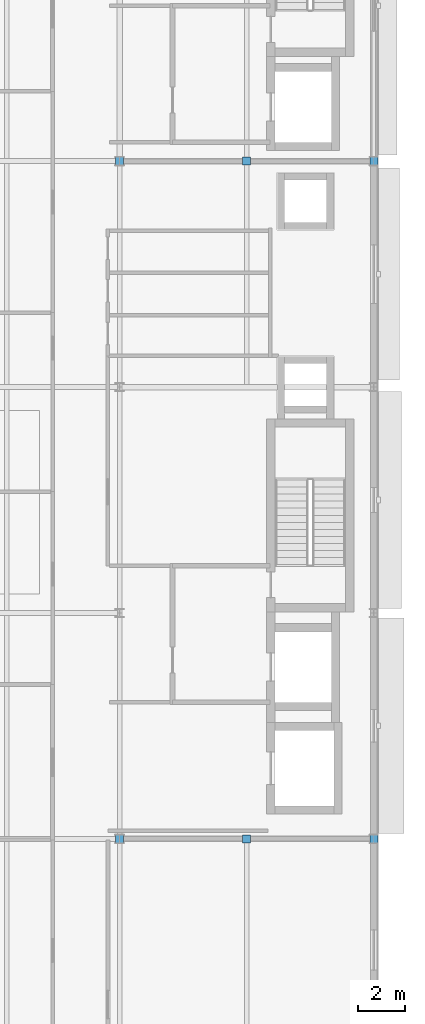
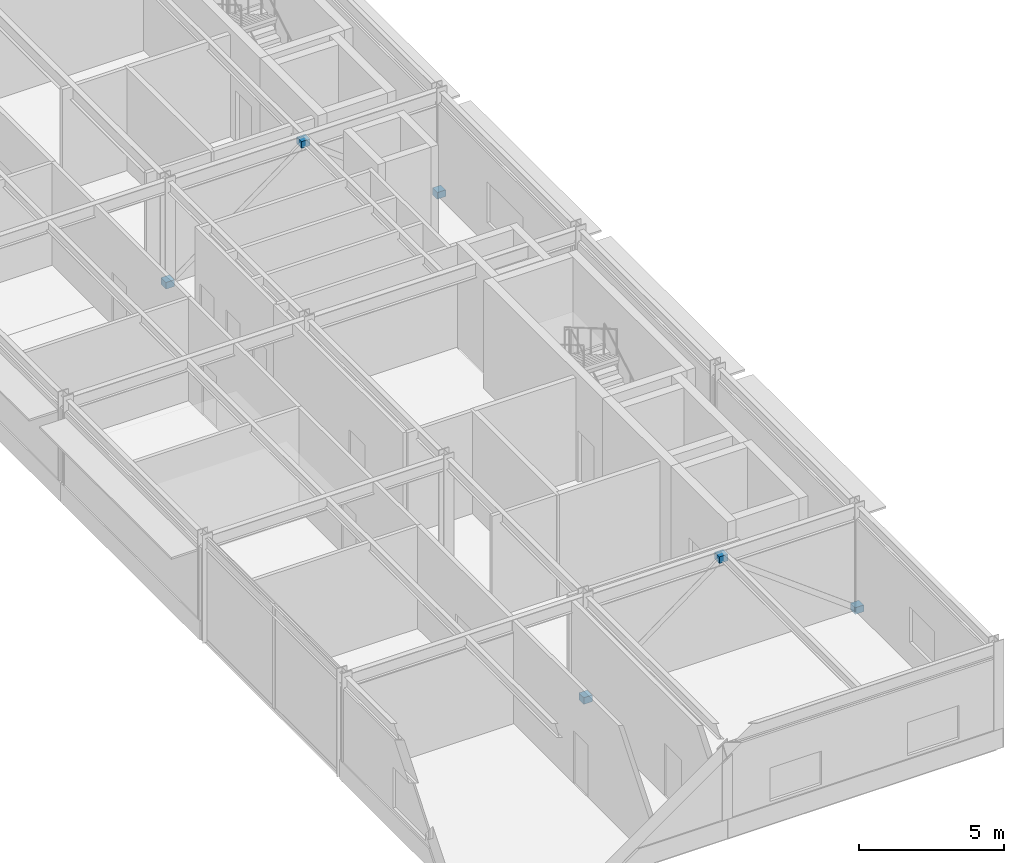
# One storey, part 99 of 133: 6 plates.
"""IFC4 building model written with IfcOpenShell, lengths in metres."""

from ifc_helpers import new_model, si_unit, direction, frame, origin, origin_2d, place, context, subcontext, project, spatial, rectangle, extrude, material, layer, layer_set, type_object, element, save


model = new_model("IFC4")

# Units and contexts
model_context = context("Model", 3, precision=1e-05, world=origin(), true_north=direction((0.0, 1.0)))
body_context = subcontext(model_context, "Body", "Model", "MODEL_VIEW")
ifc_project = project(units=[si_unit("LENGTHUNIT", "METRE"), si_unit("AREAUNIT", "SQUARE_METRE"), si_unit("VOLUMEUNIT", "CUBIC_METRE"), si_unit("PLANEANGLEUNIT", "RADIAN"), si_unit("MASSUNIT", "GRAM", prefix="KILO")], contexts=[model_context])

# Site, building, storey
site_placement = place(None, origin())
site = spatial("IfcSite", under=ifc_project, at=site_placement, CompositionType="ELEMENT")
building_placement = place(site_placement, origin())
building = spatial("IfcBuilding", under=site, at=building_placement, Name="Almandine Court Research Institute", CompositionType="ELEMENT")
storey_placement = place(building_placement, frame((0.0, 0.0, 9.800048828125)))
storey = spatial("IfcBuildingStorey", under=building, at=storey_placement, Name="L02", CompositionType="ELEMENT", Elevation=9.800048828125)

# Plates
ifc_material = material(Name="Steel ASTM A36", Category="steel")
ifc_layer = layer(ifc_material, 0.280029296875)
ifc_layer_set = layer_set([ifc_layer], Name="Steel ASTM A36")
plate_type = type_object("IfcPlateType", Name="Plate-NPI-03", PredefinedType="SHEET", material=ifc_layer_set)
for number, where, z_axis, x_axis, name in (
    (1, (163.199951171875, 15.60009765625, -0.1201171875), (0.0, 0.0, 1.0), (1.0, 0.0, 0.0), "L02 Seismic Brace Gusset Cap Plate V4-BF1-BL"),
    (2, (174.0, 15.60009765625, -0.1201171875), (0.0, 0.0, 1.0), (1.0, 0.0, 0.0), "L02 Seismic Brace Gusset Cap Plate V4-BF1-BR"),
    (3, (168.60009765625, 15.60009765625, 3.91015625), (0.0, 0.0, 1.0), (1.0, 0.0, 0.0), "L02 Seismic Brace Gusset Cap Plate V4-BF1-AP"),
    (4, (163.199951171875, 44.39990234375, -0.1201171875), (0.0, 0.0, 1.0), (1.0, 0.0, 0.0), "L02 Seismic Brace Gusset Cap Plate V4-BF2-BL"),
    (5, (174.0, 44.39990234375, -0.1201171875), (0.0, 0.0, 1.0), (1.0, 0.0, 0.0), "L02 Seismic Brace Gusset Cap Plate V4-BF2-BR"),
    (6, (168.60009765625, 44.39990234375, 3.91015625), (0.0, 0.0, 1.0), (1.0, 0.0, 0.0), "L02 Seismic Brace Gusset Cap Plate V4-BF2-AP"),
):
    element("IfcPlate", number, at=place(storey_placement, frame(where, z_axis=z_axis, x_axis=x_axis)), inside=storey, type_object=plate_type, Name=name, PredefinedType="SHEET", context=body_context, shape_type="SweptSolid", body=[
        extrude(rectangle(XDim=0.340087890625, YDim=0.340087890625, at=origin_2d()), origin(), (0.0, 0.0, 1.0), 0.280029296875),
    ])

save(model, "model.ifc")
